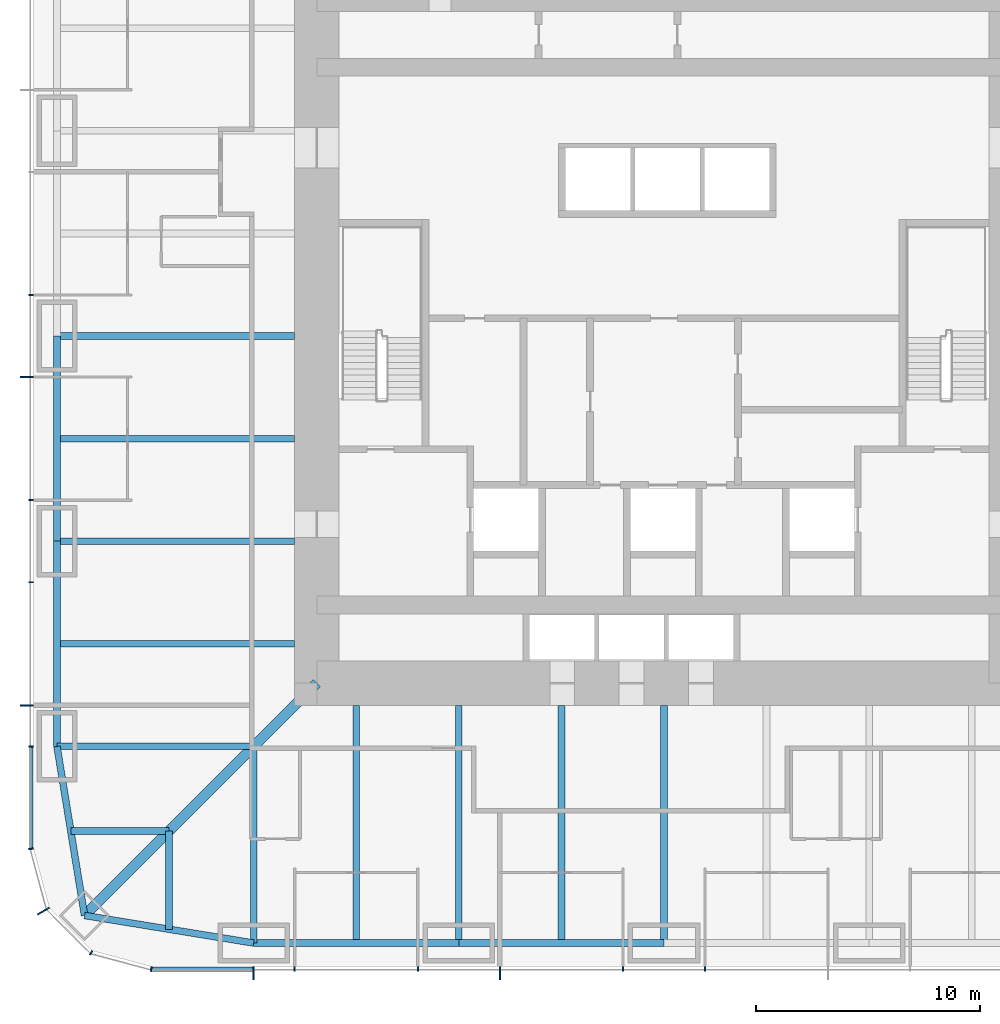
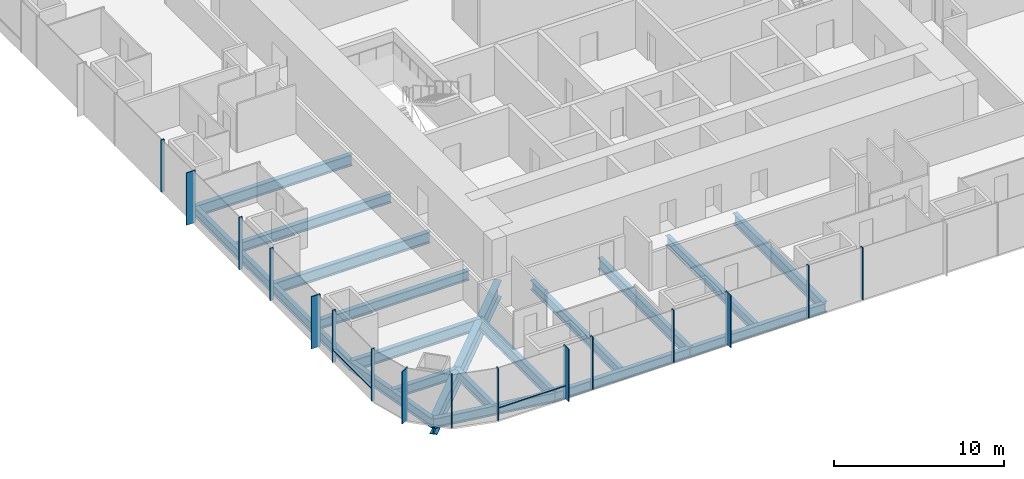
# One storey, part 2 of 11: 19 beams, 18 members, 3 elements without a shape of their own.
"""IFC4 building model written with IfcOpenShell, lengths in metres."""

import ifcopenshell
import ifcopenshell.guid

model = None  # the IFC model being written
_history = None  # IfcOwnerHistory: only IFC2X3 demands one
_inside = {}  # id of a spatial element -> (the spatial element, [elements in it])
_under = {}  # id of a project, library or spatial element -> (it, [spatial elements below it])
_declared = {}  # id of a project -> (the project, [libraries it declares])
_typed = {}  # id of a type object -> (the type object, [elements of that type])
_made_of = {}  # id of a material, layer set ... -> (it, [elements and type objects made of it])


def new_model(schema):
    """Start an empty IFC model of exactly this schema.

    Asked for "IFC4X3", IfcOpenShell would pick the latest addendum, in which some entities
    have other attributes; the version numbers below select the first issue.
    IFC2X3 requires an IfcOwnerHistory on every rooted entity: one is made here for all.
    """
    global model, _history
    if schema == "IFC4X3":
        model = ifcopenshell.file(schema_version=(4, 3, 0, 0))
    else:
        model = ifcopenshell.file(schema=schema)
    _inside.clear()
    _under.clear()
    _declared.clear()
    _typed.clear()
    _made_of.clear()
    _history = None
    if model.schema == "IFC2X3":
        org = make("IfcOrganization", Name="unknown")
        user = make(
            "IfcPersonAndOrganization",
            ThePerson=make("IfcPerson", FamilyName="unknown"),
            TheOrganization=org,
        )
        app = make(
            "IfcApplication",
            ApplicationDeveloper=org,
            Version="unknown",
            ApplicationFullName="unknown",
            ApplicationIdentifier="unknown",
        )
        _history = make(
            "IfcOwnerHistory",
            OwningUser=user,
            OwningApplication=app,
            ChangeAction="ADDED",
            CreationDate=0,
        )
    return model


def make(cls, **values):
    """One entity of the class cls with the attributes given. An attribute that is None is left unset."""
    return model.create_entity(
        cls, **{name: value for name, value in values.items() if value is not None}
    )


def rooted(cls, **values):
    """An entity with a GlobalId (a new one), such as an element, a storey or a relation."""
    return make(cls, GlobalId=ifcopenshell.guid.new(), OwnerHistory=_history, **values)


def si_unit(unit_type, name, prefix=None):
    """IfcSIUnit, for example si_unit("LENGTHUNIT", "METRE", prefix="MILLI")."""
    return make("IfcSIUnit", UnitType=unit_type, Prefix=prefix, Name=name)


def assignment(units):
    """IfcUnitAssignment: the units of a project."""
    return None if units is None else make("IfcUnitAssignment", Units=units)


def point(xyz):
    """IfcCartesianPoint."""
    return None if xyz is None else make("IfcCartesianPoint", Coordinates=xyz)


def direction(xyz):
    """IfcDirection."""
    return None if xyz is None else make("IfcDirection", DirectionRatios=xyz)


def frame(location, z_axis=None, x_axis=None):
    """IfcAxis2Placement3D, a coordinate frame: its origin and axes. An axis left out is left unset."""
    return make(
        "IfcAxis2Placement3D",
        Location=point(location),
        Axis=direction(z_axis),
        RefDirection=direction(x_axis),
    )


def frame_2d(location, x_axis=None):
    """IfcAxis2Placement2D, a coordinate frame in the plane: its origin and x axis."""
    return make(
        "IfcAxis2Placement2D", Location=point(location), RefDirection=direction(x_axis)
    )


def origin():
    """The frame at (0, 0, 0) with its axes left unset."""
    return frame((0.0, 0.0, 0.0))


def origin_2d():
    """The frame at (0, 0) in the plane with its x axis left unset."""
    return frame_2d((0.0, 0.0))


def place(relative_to, where):
    """IfcLocalPlacement: puts the frame where relative to a parent placement (None: the world)."""
    return make(
        "IfcLocalPlacement", PlacementRelTo=relative_to, RelativePlacement=where
    )


def context(
    kind, dimensions, precision=None, world=None, true_north=None, identifier=None
):
    """IfcGeometricRepresentationContext, for example the 3D "Model" context."""
    return make(
        "IfcGeometricRepresentationContext",
        ContextIdentifier=identifier,
        ContextType=kind,
        CoordinateSpaceDimension=dimensions,
        Precision=precision,
        WorldCoordinateSystem=world,
        TrueNorth=true_north,
    )


def subcontext(parent, identifier, kind, view, scale=None):
    """IfcGeometricRepresentationSubContext, for example "Body" below "Model"."""
    return make(
        "IfcGeometricRepresentationSubContext",
        ContextIdentifier=identifier,
        ContextType=kind,
        ParentContext=parent,
        TargetScale=scale,
        TargetView=view,
    )


def project(units=None, contexts=None):
    """IfcProject with its units and contexts."""
    return rooted(
        "IfcProject",
        Name="project",
        RepresentationContexts=contexts,
        UnitsInContext=assignment(units),
    )


def spatial(cls, under=None, at=None, **own):
    """A site, building, storey or space (cls), placed at a placement, below another one or the project."""
    s = rooted(cls, ObjectPlacement=at, **own)
    if under is not None:
        _under.setdefault(under.id(), (under, []))[1].append(s)
    return s


def profile(cls, at=None, kind="AREA", **sizes):
    """A parametric profile (cls). Its sizes go by their IFC names, for example OverallWidth=200.0."""
    return make(cls, ProfileType=kind, Position=at, **sizes)


def rectangle(**sizes):
    """IfcRectangleProfileDef."""
    return profile("IfcRectangleProfileDef", **sizes)


def i_section(**sizes):
    """IfcIShapeProfileDef."""
    return profile("IfcIShapeProfileDef", **sizes)


def extrude(swept, where, along, depth):
    """IfcExtrudedAreaSolid: the profile swept, set in the frame where, extruded along a direction by depth."""
    return make(
        "IfcExtrudedAreaSolid",
        SweptArea=swept,
        Position=where,
        ExtrudedDirection=direction(along),
        Depth=depth,
    )


def shape(context_of_items, identifier, shape_type, items):
    """IfcShapeRepresentation: the items that make up one representation, for example the "Body"."""
    return make(
        "IfcShapeRepresentation",
        ContextOfItems=context_of_items,
        RepresentationIdentifier=identifier,
        RepresentationType=shape_type,
        Items=items,
    )


def material(Name=None, Category=None):
    """IfcMaterial."""
    return make("IfcMaterial", Name=Name, Category=Category)


def material_profile(
    of_material, cross_section, Name=None, Category=None, Priority=None
):
    """IfcMaterialProfile: a cross section and its material."""
    return make(
        "IfcMaterialProfile",
        Name=Name,
        Material=of_material,
        Profile=cross_section,
        Priority=Priority,
        Category=Category,
    )


def profile_set(profiles, Name=None, composite=None):
    """IfcMaterialProfileSet."""
    return make(
        "IfcMaterialProfileSet",
        Name=Name,
        MaterialProfiles=profiles,
        CompositeProfile=composite,
    )


def made_of(thing, what):
    """Note that an element or type object is made of a material, layer set ...; save() writes the relation."""
    if what is not None:
        _made_of.setdefault(what.id(), (what, []))[1].append(thing)
    return thing


def type_object(cls, material=None, **own):
    """A type object (cls), such as IfcWallType, which elements share."""
    return made_of(rooted(cls, **own), material)


def element(
    cls,
    number,
    at=None,
    inside=None,
    cuts=None,
    type_object=None,
    material=None,
    context=None,
    identifier="Body",
    shape_type=None,
    held_by="IfcProductDefinitionShape",
    body=None,
    shapes=None,
    **own,
):
    """One element of the class cls, such as IfcWall. Its Tag is "e" and its number.

    at: its placement. inside: the storey or other place that contains it. cuts: it is an
    opening in that element (IfcRelVoidsElement). A single representation is given by context,
    identifier, shape_type and body (its items); several are given by shapes. held_by: the class
    of the entity that holds the representations. save() writes the other relations.
    """
    e = rooted(cls, Tag="e%d" % number, ObjectPlacement=at, **own)
    if body is not None:
        shapes = [shape(context, identifier, shape_type, body)]
    if shapes is not None:
        e.Representation = make(held_by, Representations=shapes)
    if inside is not None:
        _inside.setdefault(inside.id(), (inside, []))[1].append(e)
    if cuts is not None:
        rooted(
            "IfcRelVoidsElement", RelatingBuildingElement=cuts, RelatedOpeningElement=e
        )
    if type_object is not None:
        _typed.setdefault(type_object.id(), (type_object, []))[1].append(e)
    return made_of(e, material)


def aggregate(whole, parts):
    """IfcRelAggregates: a whole, such as a stair, and the parts it consists of."""
    return rooted("IfcRelAggregates", RelatingObject=whole, RelatedObjects=parts)


def save(model, path):
    """Write the relations noted so far, then the file.

    IfcRelAggregates (storeys below a building ...), IfcRelContainedInSpatialStructure (elements
    in a storey), IfcRelDefinesByType, IfcRelAssociatesMaterial and IfcRelDeclares: one each for
    every whole, place, type object, material and project.
    """
    for whole, parts in _under.values():
        aggregate(whole, parts)
    for where, things in _inside.values():
        rooted(
            "IfcRelContainedInSpatialStructure",
            RelatedElements=things,
            RelatingStructure=where,
        )
    for kind, things in _typed.values():
        rooted("IfcRelDefinesByType", RelatedObjects=things, RelatingType=kind)
    for what, things in _made_of.values():
        rooted("IfcRelAssociatesMaterial", RelatedObjects=things, RelatingMaterial=what)
    for by, libraries in _declared.values():
        rooted("IfcRelDeclares", RelatingContext=by, RelatedDefinitions=libraries)
    model.write(path)


model = new_model("IFC4")

# Units and contexts
model_context = context("Model", 3, precision=1e-05, world=origin(), true_north=direction((0.0, 1.0)))
body_context = subcontext(model_context, "Body", "Model", "MODEL_VIEW")
ifc_project = project(units=[si_unit("LENGTHUNIT", "METRE"), si_unit("AREAUNIT", "SQUARE_METRE"), si_unit("VOLUMEUNIT", "CUBIC_METRE"), si_unit("PLANEANGLEUNIT", "RADIAN"), si_unit("MASSUNIT", "GRAM", prefix="KILO")], contexts=[model_context])

# Site, building, storey
site_placement = place(None, origin())
site = spatial("IfcSite", under=ifc_project, at=site_placement, CompositionType="ELEMENT")
building_placement = place(site_placement, origin())
building = spatial("IfcBuilding", under=site, at=building_placement, Name="Khuree Lantern Residences", CompositionType="ELEMENT")
storey_placement = place(building_placement, frame((0.0, 0.0, 174.75)))
storey = spatial("IfcBuildingStorey", under=building, at=storey_placement, Name="L44", CompositionType="ELEMENT", Elevation=174.75)

# Beams
ifc_material_1 = material(Name="Steel S355", Category="steel")
ifc_material_profile_1 = material_profile(ifc_material_1, i_section(OverallWidth=0.300048828125, OverallDepth=0.68994140625, WebThickness=0.014404296875, FlangeThickness=0.027099609375, FilletRadius=0.027099609375, at=origin_2d()), Name="HE 700 A")
ifc_profile_set_1 = profile_set([ifc_material_profile_1], Name="Steel S355")
beam_type_1 = type_object("IfcBeamType", Name="B-25A SECONDARY BEAM HE 700 A", PredefinedType="BEAM", material=ifc_profile_set_1)
for number, where, z_axis, x_axis, name in (
    (1, (-4.580078125, -27.10009765625, -0.594970703125), (0.0, 1.0, 0.0), (-1.0, 0.0, 0.0), "Secondary beam S4"),
    (2, (-13.739990234375, -27.10009765625, -0.594970703125), (0.0, 1.0, 0.0), (-1.0, 0.0, 0.0), "Secondary beam S5"),
):
    element("IfcBeam", number, at=place(storey_placement, frame(where, z_axis=z_axis, x_axis=x_axis)), inside=storey, type_object=beam_type_1, Name=name, PredefinedType="BEAM", context=body_context, shape_type="SweptSolid", body=[
        extrude(i_section(OverallWidth=0.300048828125, OverallDepth=0.68994140625, WebThickness=0.014404296875, FlangeThickness=0.027099609375, FilletRadius=0.027099609375, at=origin_2d()), origin(), (0.0, 0.0, 1.0), 10.60009765625),
    ])
for number, where, z_axis, x_axis, name in (
    (3, (-22.094970703125, -26.48486328125, -0.594970703125), (0.0, 1.0, 0.0), (-1.0, 0.0, 0.0), "Secondary beam S6"),
    (4, (-26.48486328125, -22.094970703125, -0.594970703125), (1.0, 0.0, 0.0), (0.0, 1.0, 0.0), "Secondary beam W1"),
):
    element("IfcBeam", number, at=place(storey_placement, frame(where, z_axis=z_axis, x_axis=x_axis)), inside=storey, type_object=beam_type_1, Name=name, PredefinedType="BEAM", context=body_context, shape_type="SweptSolid", body=[
        extrude(i_section(OverallWidth=0.300048828125, OverallDepth=0.68994140625, WebThickness=0.014404296875, FlangeThickness=0.027099609375, FilletRadius=0.027099609375, at=origin_2d()), origin(), (0.0, 0.0, 1.0), 4.389892578125),
    ])
for number, where, z_axis, x_axis, name in (
    (5, (-27.10009765625, -13.739990234375, -0.594970703125), (1.0, 0.0, 0.0), (0.0, 1.0, 0.0), "Secondary beam W2"),
    (6, (-27.10009765625, -4.580078125, -0.594970703125), (1.0, 0.0, 0.0), (0.0, 1.0, 0.0), "Secondary beam W3"),
):
    element("IfcBeam", number, at=place(storey_placement, frame(where, z_axis=z_axis, x_axis=x_axis)), inside=storey, type_object=beam_type_1, Name=name, PredefinedType="BEAM", context=body_context, shape_type="SweptSolid", body=[
        extrude(i_section(OverallWidth=0.300048828125, OverallDepth=0.68994140625, WebThickness=0.014404296875, FlangeThickness=0.027099609375, FilletRadius=0.027099609375, at=origin_2d()), origin(), (0.0, 0.0, 1.0), 10.60009765625),
    ])
ifc_material_profile_2 = material_profile(ifc_material_1, i_section(OverallWidth=0.300048828125, OverallDepth=0.68994140625, WebThickness=0.014404296875, FlangeThickness=0.027099609375, FilletRadius=0.027099609375, at=origin_2d()), Name="HE 700 A")
ifc_profile_set_2 = profile_set([ifc_material_profile_2], Name="Steel S355")
beam_type_2 = type_object("IfcBeamType", Name="E-25 SPANDREL BEAM HE 700 A", PredefinedType="SPANDREL", material=ifc_profile_set_2)
beam_1_placement = place(storey_placement, frame((0.0, -27.10009765625, -0.594970703125), z_axis=(-1.0, 0.0, 0.0), x_axis=(0.0, -1.0, 0.0)))
element("IfcBeam", 7, at=beam_1_placement, inside=storey, type_object=beam_type_2, Name="Spandrel beam S4", PredefinedType="SPANDREL", context=body_context, shape_type="SweptSolid", body=[
    extrude(i_section(OverallWidth=0.300048828125, OverallDepth=0.68994140625, WebThickness=0.014404296875, FlangeThickness=0.027099609375, FilletRadius=0.027099609375, at=origin_2d()), origin(), (0.0, 0.0, 1.0), 9.159912109375),
])
beam_2_placement = place(storey_placement, frame((-9.159912109375, -27.10009765625, -0.594970703125), z_axis=(-1.0, 0.0, 0.0), x_axis=(0.0, -1.0, 0.0)))
element("IfcBeam", 8, at=beam_2_placement, inside=storey, type_object=beam_type_2, Name="Spandrel beam S5", PredefinedType="SPANDREL", context=body_context, shape_type="SweptSolid", body=[
    extrude(i_section(OverallWidth=0.300048828125, OverallDepth=0.68994140625, WebThickness=0.014404296875, FlangeThickness=0.027099609375, FilletRadius=0.027099609375, at=origin_2d()), origin(), (0.0, 0.0, 1.0), 9.16015625),
])
for number, where, z_axis, x_axis, name in (
    (9, (-18.320068359375, -27.10009765625, -0.594970703125), (-0.986982656839, 0.160826723833, 0.0), (-0.160826723833, -0.986982656839, 0.0), "Spandrel beam S6"),
    (10, (-25.869873046875, -25.869873046875, -0.594970703125), (-0.160826723833, 0.986982656839, 0.0), (-0.986982656839, -0.160826723833, 0.0), "Spandrel beam W1"),
):
    element("IfcBeam", number, at=place(storey_placement, frame(where, z_axis=z_axis, x_axis=x_axis)), inside=storey, type_object=beam_type_2, Name=name, PredefinedType="SPANDREL", context=body_context, shape_type="SweptSolid", body=[
        extrude(i_section(OverallWidth=0.300048828125, OverallDepth=0.68994140625, WebThickness=0.014404296875, FlangeThickness=0.027099609375, FilletRadius=0.027099609375, at=origin_2d()), origin(), (0.0, 0.0, 1.0), 7.6494140625),
    ])
beam_3_placement = place(storey_placement, frame((-27.10009765625, -18.320068359375, -0.594970703125), z_axis=(0.0, 1.0, 0.0), x_axis=(-1.0, 0.0, 0.0)))
element("IfcBeam", 11, at=beam_3_placement, inside=storey, type_object=beam_type_2, Name="Spandrel beam W2", PredefinedType="SPANDREL", context=body_context, shape_type="SweptSolid", body=[
    extrude(i_section(OverallWidth=0.300048828125, OverallDepth=0.68994140625, WebThickness=0.014404296875, FlangeThickness=0.027099609375, FilletRadius=0.027099609375, at=origin_2d()), origin(), (0.0, 0.0, 1.0), 9.16015625),
])
beam_4_placement = place(storey_placement, frame((-27.10009765625, -9.159912109375, -0.594970703125), z_axis=(0.0, 1.0, 0.0), x_axis=(-1.0, 0.0, 0.0)))
element("IfcBeam", 12, at=beam_4_placement, inside=storey, type_object=beam_type_2, Name="Spandrel beam W3", PredefinedType="SPANDREL", context=body_context, shape_type="SweptSolid", body=[
    extrude(i_section(OverallWidth=0.300048828125, OverallDepth=0.68994140625, WebThickness=0.014404296875, FlangeThickness=0.027099609375, FilletRadius=0.027099609375, at=origin_2d()), origin(), (0.0, 0.0, 1.0), 9.159912109375),
])

# Curtain wall, members
ifc_material_2 = material(Name="Bronze anodised aluminium", Category="aluminium")
curtain_wall_type_1 = type_object("IfcCurtainWallType", Name="CW-T1 TOWER FACE CURTAIN WALL", PredefinedType="USERDEFINED", material=ifc_material_2)
curtain_wall_1_placement = place(storey_placement, origin())
curtain_wall_1 = element("IfcCurtainWall", 13, at=curtain_wall_1_placement, inside=storey, type_object=curtain_wall_type_1, Name="L44 WEST FACE CURTAIN WALL", ObjectType="Stick-built curtain wall", PredefinedType="USERDEFINED")
ifc_material_profile_3 = material_profile(ifc_material_2, rectangle(XDim=0.06494140625, YDim=0.60009765625, at=origin_2d()), Name="F1 65X600")
ifc_profile_set_3 = profile_set([ifc_material_profile_3], Name="Bronze anodised aluminium")
member_type_1 = type_object("IfcMemberType", Name="F1 BRONZE FIN MULLION TOWER 65X600", PredefinedType="MULLION", material=ifc_profile_set_3)
member_1_placement = place(storey_placement, frame((-28.449951171875, -1.83203125, 0.0), z_axis=(0.0, 0.0, 1.0), x_axis=(0.0, -1.0, 0.0)))
member_1 = element("IfcMember", 14, at=member_1_placement, type_object=member_type_1, Name="L44 WEST FACE FIN MULLION 38", PredefinedType="MULLION", context=body_context, shape_type="SweptSolid", body=[
    extrude(rectangle(XDim=0.06494140625, YDim=0.60009765625, at=origin_2d()), origin(), (0.0, 0.0, 1.0), 3.75),
])
member_2_placement = place(storey_placement, frame((-28.449951171875, -16.488037109375, 0.0), z_axis=(0.0, 0.0, 1.0), x_axis=(0.0, -1.0, 0.0)))
member_2 = element("IfcMember", 15, at=member_2_placement, type_object=member_type_1, Name="L44 WEST FACE FIN MULLION 41", PredefinedType="MULLION", context=body_context, shape_type="SweptSolid", body=[
    extrude(rectangle(XDim=0.06494140625, YDim=0.60009765625, at=origin_2d()), origin(), (0.0, 0.0, 1.0), 3.75),
])

# Curtain wall, member
curtain_wall_type_2 = type_object("IfcCurtainWallType", Name="CW-T2 TOWER CORNER CURTAIN WALL", PredefinedType="USERDEFINED", material=ifc_material_2)
curtain_wall_2_placement = place(storey_placement, origin())
curtain_wall_2 = element("IfcCurtainWall", 16, at=curtain_wall_2_placement, inside=storey, type_object=curtain_wall_type_2, Name="L44 SOUTH-WEST CORNER CURTAIN WALL", ObjectType="Faceted corner curtain wall", PredefinedType="USERDEFINED")
member_3_placement = place(storey_placement, frame((-27.70654296875, -25.675048828125, 0.0), z_axis=(0.0, 0.0, 1.0), x_axis=(0.500000026995, -0.866025388199, 0.0)))
member_3 = element("IfcMember", 17, at=member_3_placement, type_object=member_type_1, Name="L44 SOUTH-WEST CORNER FIN MULLION 44", PredefinedType="MULLION", context=body_context, shape_type="SweptSolid", body=[
    extrude(rectangle(XDim=0.06494140625, YDim=0.60009765625, at=origin_2d()), origin(), (0.0, 0.0, 1.0), 3.75),
])

# Curtain wall, members
curtain_wall_3_placement = place(storey_placement, origin())
curtain_wall_3 = element("IfcCurtainWall", 18, at=curtain_wall_3_placement, inside=storey, type_object=curtain_wall_type_1, Name="L44 SOUTH FACE CURTAIN WALL", ObjectType="Stick-built curtain wall", PredefinedType="USERDEFINED")
member_4_placement = place(storey_placement, frame((-18.320068359375, -28.449951171875, 0.0), z_axis=(0.0, 0.0, 1.0), x_axis=(1.0, 0.0, 0.0)))
member_4 = element("IfcMember", 19, at=member_4_placement, type_object=member_type_1, Name="L44 SOUTH FACE FIN MULLION 47", PredefinedType="MULLION", context=body_context, shape_type="SweptSolid", body=[
    extrude(rectangle(XDim=0.06494140625, YDim=0.60009765625, at=origin_2d()), origin(), (0.0, 0.0, 1.0), 3.75),
])
member_5_placement = place(storey_placement, frame((-7.327880859375, -28.449951171875, 0.0), z_axis=(0.0, 0.0, 1.0), x_axis=(1.0, 0.0, 0.0)))
member_5 = element("IfcMember", 20, at=member_5_placement, type_object=member_type_1, Name="L44 SOUTH FACE FIN MULLION 50", PredefinedType="MULLION", context=body_context, shape_type="SweptSolid", body=[
    extrude(rectangle(XDim=0.06494140625, YDim=0.60009765625, at=origin_2d()), origin(), (0.0, 0.0, 1.0), 3.75),
])

# Beams
ifc_material_profile_4 = material_profile(ifc_material_1, i_section(OverallWidth=0.300048828125, OverallDepth=0.800048828125, WebThickness=0.017578125, FlangeThickness=0.032958984375, FilletRadius=0.030029296875, at=origin_2d()), Name="HE 800 B")
ifc_profile_set_4 = profile_set([ifc_material_profile_4], Name="Steel S355")
beam_type_3 = type_object("IfcBeamType", Name="G-25A GIRDER HE 800 B", PredefinedType="BEAM", material=ifc_profile_set_4)
for number, where, z_axis, x_axis, name in (
    (21, (0.0, -27.10009765625, -0.64990234375), (0.0, 1.0, 0.0), (-1.0, 0.0, 0.0), "Girder S3"),
    (22, (-9.159912109375, -27.10009765625, -0.64990234375), (0.0, 1.0, 0.0), (-1.0, 0.0, 0.0), "Girder S4"),
):
    element("IfcBeam", number, at=place(storey_placement, frame(where, z_axis=z_axis, x_axis=x_axis)), inside=storey, type_object=beam_type_3, Name=name, PredefinedType="BEAM", context=body_context, shape_type="SweptSolid", body=[
        extrude(i_section(OverallWidth=0.300048828125, OverallDepth=0.800048828125, WebThickness=0.017578125, FlangeThickness=0.032958984375, FilletRadius=0.030029296875, at=origin_2d()), origin(), (0.0, 0.0, 1.0), 10.60009765625),
    ])
for number, where, z_axis, x_axis, name in (
    (23, (-18.320068359375, -27.10009765625, -0.64990234375), (0.0, 1.0, 0.0), (-1.0, 0.0, 0.0), "Girder S5"),
    (24, (-27.10009765625, -18.320068359375, -0.64990234375), (1.0, 0.0, 0.0), (0.0, 1.0, 0.0), "Girder W1"),
):
    element("IfcBeam", number, at=place(storey_placement, frame(where, z_axis=z_axis, x_axis=x_axis)), inside=storey, type_object=beam_type_3, Name=name, PredefinedType="BEAM", context=body_context, shape_type="SweptSolid", body=[
        extrude(i_section(OverallWidth=0.300048828125, OverallDepth=0.800048828125, WebThickness=0.017578125, FlangeThickness=0.032958984375, FilletRadius=0.030029296875, at=origin_2d()), origin(), (0.0, 0.0, 1.0), 8.780029296875),
    ])
for number, where, z_axis, x_axis, name in (
    (25, (-27.10009765625, -9.159912109375, -0.64990234375), (1.0, 0.0, 0.0), (0.0, 1.0, 0.0), "Girder W2"),
    (26, (-27.10009765625, 0.0, -0.64990234375), (1.0, 0.0, 0.0), (0.0, 1.0, 0.0), "Girder W3"),
):
    element("IfcBeam", number, at=place(storey_placement, frame(where, z_axis=z_axis, x_axis=x_axis)), inside=storey, type_object=beam_type_3, Name=name, PredefinedType="BEAM", context=body_context, shape_type="SweptSolid", body=[
        extrude(i_section(OverallWidth=0.300048828125, OverallDepth=0.800048828125, WebThickness=0.017578125, FlangeThickness=0.032958984375, FilletRadius=0.030029296875, at=origin_2d()), origin(), (0.0, 0.0, 1.0), 10.60009765625),
    ])
ifc_material_profile_5 = material_profile(ifc_material_1, i_section(OverallWidth=0.449951171875, OverallDepth=1.199951171875, WebThickness=0.02490234375, FlangeThickness=0.044921875, at=origin_2d()), Name="WELDED I 1200X450X25X45")
ifc_profile_set_5 = profile_set([ifc_material_profile_5], Name="Steel S355")
beam_type_4 = type_object("IfcBeamType", Name="GD-25 CORNER GIRDER WELDED I 1200X450X25X45", PredefinedType="BEAM", material=ifc_profile_set_5)
beam_5_placement = place(storey_placement, frame((-25.869873046875, -25.869873046875, -0.85009765625), z_axis=(0.707106781187, 0.707106781187, 0.0), x_axis=(-0.707106781187, 0.707106781187, 0.0)))
element("IfcBeam", 27, at=beam_5_placement, inside=storey, type_object=beam_type_4, Name="Corner girder SW", PredefinedType="BEAM", context=body_context, shape_type="SweptSolid", body=[
    extrude(i_section(OverallWidth=0.449951171875, OverallDepth=1.199951171875, WebThickness=0.02490234375, FlangeThickness=0.044921875, at=origin_2d()), origin(), (0.0, 0.0, 1.0), 14.665283203125),
])

# Member
ifc_material_profile_6 = material_profile(ifc_material_2, rectangle(XDim=0.06494140625, YDim=0.219970703125, at=origin_2d()), Name="M1 65X220")
ifc_profile_set_6 = profile_set([ifc_material_profile_6], Name="Bronze anodised aluminium")
member_type_2 = type_object("IfcMemberType", Name="M1 BRONZE MULLION TOWER 65X220", PredefinedType="MULLION", material=ifc_profile_set_6)
member_6_placement = place(storey_placement, frame((-28.260009765625, 1.83203125, 0.0), z_axis=(0.0, 0.0, 1.0), x_axis=(0.0, -1.0, 0.0)))
member_6 = element("IfcMember", 28, at=member_6_placement, type_object=member_type_2, Name="L44 WEST FACE MULLION 37", PredefinedType="MULLION", context=body_context, shape_type="SweptSolid", body=[
    extrude(rectangle(XDim=0.06494140625, YDim=0.219970703125, at=origin_2d()), origin(), (0.0, 0.0, 1.0), 3.75),
])

member_7_placement = place(storey_placement, frame((-28.260009765625, -7.327880859375, 0.0), z_axis=(0.0, 0.0, 1.0), x_axis=(0.0, -1.0, 0.0)))
member_7 = element("IfcMember", 29, at=member_7_placement, type_object=member_type_2, Name="L44 WEST FACE MULLION 39", PredefinedType="MULLION", context=body_context, shape_type="SweptSolid", body=[
    extrude(rectangle(XDim=0.06494140625, YDim=0.219970703125, at=origin_2d()), origin(), (0.0, 0.0, 1.0), 3.75),
])

member_8_placement = place(storey_placement, frame((-28.260009765625, -10.991943359375, 0.0), z_axis=(0.0, 0.0, 1.0), x_axis=(0.0, -1.0, 0.0)))
member_8 = element("IfcMember", 30, at=member_8_placement, type_object=member_type_2, Name="L44 WEST FACE MULLION 40", PredefinedType="MULLION", context=body_context, shape_type="SweptSolid", body=[
    extrude(rectangle(XDim=0.06494140625, YDim=0.219970703125, at=origin_2d()), origin(), (0.0, 0.0, 1.0), 3.75),
])

member_9_placement = place(storey_placement, frame((-28.260009765625, -18.320068359375, 0.0), z_axis=(0.0, 0.0, 1.0), x_axis=(0.0, -1.0, 0.0)))
member_9 = element("IfcMember", 31, at=member_9_placement, type_object=member_type_2, Name="L44 WEST FACE MULLION 42", PredefinedType="MULLION", context=body_context, shape_type="SweptSolid", body=[
    extrude(rectangle(XDim=0.06494140625, YDim=0.219970703125, at=origin_2d()), origin(), (0.0, 0.0, 1.0), 3.75),
])

member_10_placement = place(storey_placement, frame((-28.26171875, -22.89501953125, 0.0), z_axis=(0.0, 0.0, 1.0), x_axis=(0.130526223125, -0.991444857305, 0.0)))
member_10 = element("IfcMember", 32, at=member_10_placement, type_object=member_type_2, Name="L44 SOUTH-WEST CORNER MULLION 43", PredefinedType="MULLION", context=body_context, shape_type="SweptSolid", body=[
    extrude(rectangle(XDim=0.06494140625, YDim=0.219970703125, at=origin_2d()), origin(), (0.0, 0.0, 1.0), 3.75),
])

member_11_placement = place(storey_placement, frame((-25.580078125, -27.5419921875, 0.0), z_axis=(0.0, 0.0, 1.0), x_axis=(0.866025388199, -0.500000026995, 0.0)))
member_11 = element("IfcMember", 33, at=member_11_placement, type_object=member_type_2, Name="L44 SOUTH-WEST CORNER MULLION 45", PredefinedType="MULLION", context=body_context, shape_type="SweptSolid", body=[
    extrude(rectangle(XDim=0.06494140625, YDim=0.219970703125, at=origin_2d()), origin(), (0.0, 0.0, 1.0), 3.75),
])

aggregate(curtain_wall_2, [member_10, member_3, member_11])

member_12_placement = place(storey_placement, frame((-22.89501953125, -28.26171875, 0.0), z_axis=(0.0, 0.0, 1.0), x_axis=(0.991444857305, -0.130526223125, 0.0)))
member_12 = element("IfcMember", 34, at=member_12_placement, type_object=member_type_2, Name="L44 SOUTH FACE MULLION 46", PredefinedType="MULLION", context=body_context, shape_type="SweptSolid", body=[
    extrude(rectangle(XDim=0.06494140625, YDim=0.219970703125, at=origin_2d()), origin(), (0.0, 0.0, 1.0), 3.75),
])

member_13_placement = place(storey_placement, frame((-16.488037109375, -28.260009765625, 0.0), z_axis=(0.0, 0.0, 1.0), x_axis=(1.0, 0.0, 0.0)))
member_13 = element("IfcMember", 35, at=member_13_placement, type_object=member_type_2, Name="L44 SOUTH FACE MULLION 48", PredefinedType="MULLION", context=body_context, shape_type="SweptSolid", body=[
    extrude(rectangle(XDim=0.06494140625, YDim=0.219970703125, at=origin_2d()), origin(), (0.0, 0.0, 1.0), 3.75),
])

member_14_placement = place(storey_placement, frame((-10.991943359375, -28.260009765625, 0.0), z_axis=(0.0, 0.0, 1.0), x_axis=(1.0, 0.0, 0.0)))
member_14 = element("IfcMember", 36, at=member_14_placement, type_object=member_type_2, Name="L44 SOUTH FACE MULLION 49", PredefinedType="MULLION", context=body_context, shape_type="SweptSolid", body=[
    extrude(rectangle(XDim=0.06494140625, YDim=0.219970703125, at=origin_2d()), origin(), (0.0, 0.0, 1.0), 3.75),
])

member_15_placement = place(storey_placement, frame((-1.83203125, -28.260009765625, 0.0), z_axis=(0.0, 0.0, 1.0), x_axis=(1.0, 0.0, 0.0)))
member_15 = element("IfcMember", 37, at=member_15_placement, type_object=member_type_2, Name="L44 SOUTH FACE MULLION 51", PredefinedType="MULLION", context=body_context, shape_type="SweptSolid", body=[
    extrude(rectangle(XDim=0.06494140625, YDim=0.219970703125, at=origin_2d()), origin(), (0.0, 0.0, 1.0), 3.75),
])

member_16_placement = place(storey_placement, frame((1.83203125, -28.260009765625, 0.0), z_axis=(0.0, 0.0, 1.0), x_axis=(1.0, 0.0, 0.0)))
member_16 = element("IfcMember", 38, at=member_16_placement, type_object=member_type_2, Name="L44 SOUTH FACE MULLION 52", PredefinedType="MULLION", context=body_context, shape_type="SweptSolid", body=[
    extrude(rectangle(XDim=0.06494140625, YDim=0.219970703125, at=origin_2d()), origin(), (0.0, 0.0, 1.0), 3.75),
])

ifc_material_profile_7 = material_profile(ifc_material_2, rectangle(XDim=0.179931640625, YDim=0.06494140625, at=origin_2d()), Name="T1 180X65")
ifc_profile_set_7 = profile_set([ifc_material_profile_7], Name="Bronze anodised aluminium")
member_type_3 = type_object("IfcMemberType", Name="TRANSOM T1 TOWER 180X65", PredefinedType="USERDEFINED", material=ifc_profile_set_7)
member_17_placement = place(storey_placement, frame((-28.27001953125, -18.3525390625, 0.89990234375), z_axis=(0.0, -1.0, 0.0), x_axis=(1.0, 0.0, 0.0)))
member_17 = element("IfcMember", 39, at=member_17_placement, type_object=member_type_3, Name="L44 WEST FACE TRANSOM 42.1", ObjectType="Transom", PredefinedType="USERDEFINED", context=body_context, shape_type="SweptSolid", body=[
    extrude(rectangle(XDim=0.179931640625, YDim=0.06494140625, at=origin_2d()), origin(), (0.0, 0.0, 1.0), 4.498779296875),
])

aggregate(curtain_wall_1, [member_6, member_1, member_7, member_8, member_2, member_9, member_17])

member_18_placement = place(storey_placement, frame((-22.851318359375, -28.27001953125, 0.89990234375), z_axis=(1.0, 0.0, 0.0), x_axis=(0.0, 1.0, 0.0)))
member_18 = element("IfcMember", 40, at=member_18_placement, type_object=member_type_3, Name="L44 SOUTH FACE TRANSOM 46.1", ObjectType="Transom", PredefinedType="USERDEFINED", context=body_context, shape_type="SweptSolid", body=[
    extrude(rectangle(XDim=0.179931640625, YDim=0.06494140625, at=origin_2d()), origin(), (0.0, 0.0, 1.0), 4.498779296875),
])

aggregate(curtain_wall_3, [member_12, member_4, member_13, member_14, member_5, member_15, member_16, member_18])

save(model, "model.ifc")
